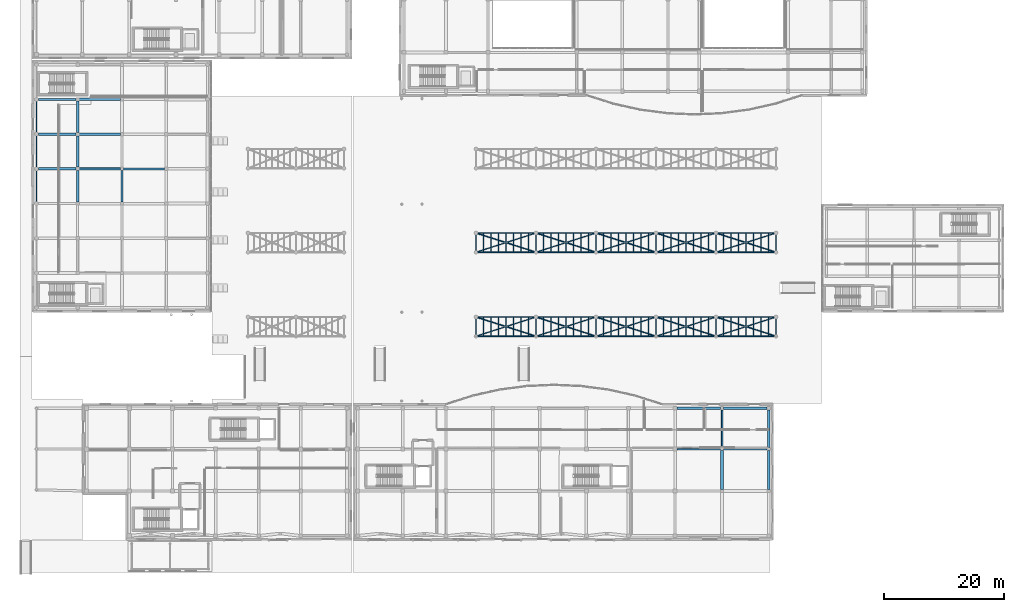
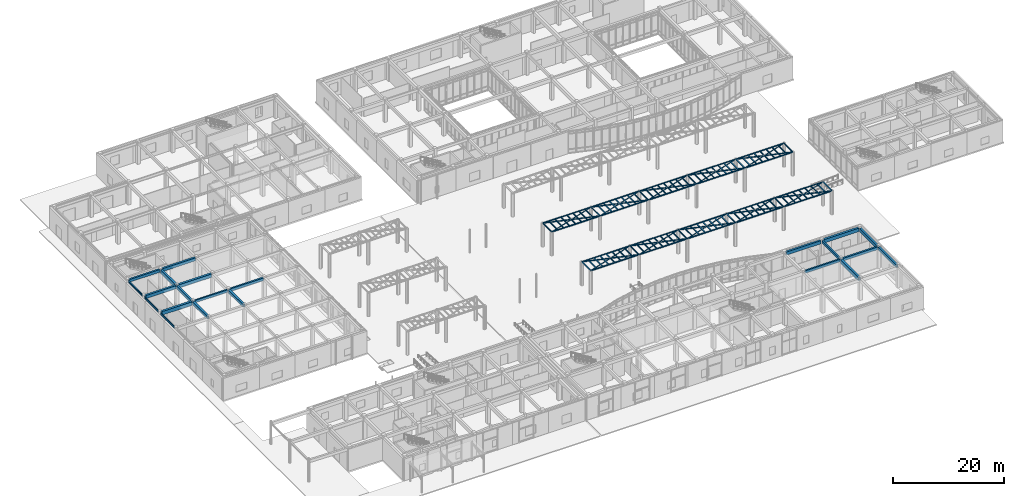
# One storey, part 36 of 121: 132 members, 22 beams.
"""IFC4 building model written with IfcOpenShell, lengths in metres."""

from ifc_helpers import new_model, si_unit, direction, frame, origin, origin_2d, place, context, subcontext, project, spatial, rectangle, hollow_rectangle, hollow_circle, i_section, extrude, material, material_profile, profile_set, type_object, element, save


model = new_model("IFC4")

# Units and contexts
model_context = context("Model", 3, precision=1e-05, world=origin(), true_north=direction((0.0, 1.0)))
body_context = subcontext(model_context, "Body", "Model", "MODEL_VIEW")
ifc_project = project(units=[si_unit("LENGTHUNIT", "METRE"), si_unit("AREAUNIT", "SQUARE_METRE"), si_unit("VOLUMEUNIT", "CUBIC_METRE"), si_unit("PLANEANGLEUNIT", "RADIAN"), si_unit("MASSUNIT", "GRAM", prefix="KILO")], contexts=[model_context])

# Site, building, storey
site_placement = place(None, origin())
site = spatial("IfcSite", under=ifc_project, at=site_placement, CompositionType="ELEMENT")
building_placement = place(site_placement, origin())
building = spatial("IfcBuilding", under=site, at=building_placement, Name="Valcora Specialist Clinic", CompositionType="ELEMENT")
storey_placement = place(building_placement, origin())
storey = spatial("IfcBuildingStorey", under=building, at=storey_placement, Name="L00", CompositionType="ELEMENT", Elevation=0.0)

# Beams
ifc_material_1 = material(Name="Steel ASTM A992 Grade 50", Category="steel")
ifc_material_profile_1 = material_profile(ifc_material_1, i_section(OverallWidth=0.177978515625, OverallDepth=0.406005859375, WebThickness=0.008056640625, FlangeThickness=0.012939453125, at=origin_2d()), Name="ST-IR-410X180")
ifc_profile_set_1 = profile_set([ifc_material_profile_1], Name="Steel ASTM A992 Grade 50")
beam_type_1 = type_object("IfcBeamType", Name="TY-BM-IR410", PredefinedType="SPANDREL", material=ifc_profile_set_1)
beam_1_placement = place(storey_placement, frame((0.75, 56.431884765625, 4.60302734375), z_axis=(0.0, 1.0, 0.0), x_axis=(-1.0, 0.0, 0.0)))
element("IfcBeam", 1, at=beam_1_placement, inside=storey, type_object=beam_type_1, Name="Beam BM-L00-0103", PredefinedType="SPANDREL", context=body_context, shape_type="SweptSolid", body=[
    extrude(i_section(OverallWidth=0.177978515625, OverallDepth=0.406005859375, WebThickness=0.008056640625, FlangeThickness=0.012939453125, at=origin_2d()), origin(), (0.0, 0.0, 1.0), 5.13623046875),
])
beam_2_placement = place(storey_placement, frame((0.75, 62.218017578125, 4.60302734375), z_axis=(0.0, 1.0, 0.0), x_axis=(-1.0, 0.0, 0.0)))
element("IfcBeam", 2, at=beam_2_placement, inside=storey, type_object=beam_type_1, Name="Beam BM-L00-0104", PredefinedType="SPANDREL", context=body_context, shape_type="SweptSolid", body=[
    extrude(i_section(OverallWidth=0.177978515625, OverallDepth=0.406005859375, WebThickness=0.008056640625, FlangeThickness=0.012939453125, at=origin_2d()), origin(), (0.0, 0.0, 1.0), 5.135986328125),
])
beam_3_placement = place(storey_placement, frame((0.75, 68.00390625, 4.60302734375), z_axis=(0.0, 1.0, 0.0), x_axis=(-1.0, 0.0, 0.0)))
element("IfcBeam", 3, at=beam_3_placement, inside=storey, type_object=beam_type_1, Name="Beam BM-L00-0105", PredefinedType="SPANDREL", context=body_context, shape_type="SweptSolid", body=[
    extrude(i_section(OverallWidth=0.177978515625, OverallDepth=0.406005859375, WebThickness=0.008056640625, FlangeThickness=0.012939453125, at=origin_2d()), origin(), (0.0, 0.0, 1.0), 5.135009765625),
])
ifc_material_2 = material(Name="Concrete C40/50", Category="concrete")
ifc_material_profile_2 = material_profile(ifc_material_2, rectangle(XDim=0.300048828125, YDim=0.550048828125, at=origin_2d()), Name="RC-BM-300X550")
ifc_profile_set_2 = profile_set([ifc_material_profile_2], Name="Concrete C40/50")
beam_type_2 = type_object("IfcBeamType", Name="TY-BM-RC300X550", PredefinedType="BEAM", material=ifc_profile_set_2)
beam_4_placement = place(storey_placement, frame((7.875, 61.89306640625, 4.534912109375), z_axis=(1.0, 0.0, 0.0), x_axis=(0.0, 1.0, 0.0)))
element("IfcBeam", 4, at=beam_4_placement, inside=storey, type_object=beam_type_2, Name="Beam BM-L00-0085", PredefinedType="BEAM", context=body_context, shape_type="SweptSolid", body=[
    extrude(rectangle(XDim=0.300048828125, YDim=0.550048828125, at=origin_2d()), origin(), (0.0, 0.0, 1.0), 6.85009765625),
])
beam_5_placement = place(storey_placement, frame((107.52490234375, 15.199951171875, 4.4951171875), z_axis=(1.0, 0.0, 0.0), x_axis=(0.0, 1.0, 0.0)))
element("IfcBeam", 5, at=beam_5_placement, inside=storey, type_object=beam_type_2, Name="Beam BM-L00-1249", PredefinedType="BEAM", context=body_context, shape_type="SweptSolid", body=[
    extrude(rectangle(XDim=0.300048828125, YDim=0.550048828125, at=origin_2d()), origin(), (0.0, 0.0, 1.0), 7.2001953125),
])
beam_6_placement = place(storey_placement, frame((115.0, 15.47509765625, 4.4951171875), z_axis=(0.0, 1.0, 0.0), x_axis=(-1.0, 0.0, 0.0)))
element("IfcBeam", 6, at=beam_6_placement, inside=storey, type_object=beam_type_2, Name="Beam BM-L00-1283", PredefinedType="BEAM", context=body_context, shape_type="SweptSolid", body=[
    extrude(rectangle(XDim=0.300048828125, YDim=0.550048828125, at=origin_2d()), origin(), (0.0, 0.0, 1.0), 6.25),
])
ifc_material_profile_3 = material_profile(ifc_material_2, rectangle(XDim=0.35009765625, YDim=0.60009765625, at=origin_2d()), Name="RC-BM-350X600")
ifc_profile_set_3 = profile_set([ifc_material_profile_3], Name="Concrete C40/50")
beam_type_3 = type_object("IfcBeamType", Name="TY-BM-RC350X600", PredefinedType="BEAM", material=ifc_profile_set_3)
beam_7_placement = place(storey_placement, frame((15.27490234375, 61.89306640625, 4.510009765625), z_axis=(1.0, 0.0, 0.0), x_axis=(0.0, 1.0, 0.0)))
element("IfcBeam", 7, at=beam_7_placement, inside=storey, type_object=beam_type_3, Name="Beam BM-L00-0086", PredefinedType="BEAM", context=body_context, shape_type="SweptSolid", body=[
    extrude(rectangle(XDim=0.35009765625, YDim=0.60009765625, at=origin_2d()), origin(), (0.0, 0.0, 1.0), 6.85009765625),
])
beam_8_placement = place(storey_placement, frame((1.074951171875, 73.464111328125, 4.510009765625), z_axis=(1.0, 0.0, 0.0), x_axis=(0.0, 1.0, 0.0)))
element("IfcBeam", 8, at=beam_8_placement, inside=storey, type_object=beam_type_3, Name="Beam BM-L00-0092", PredefinedType="BEAM", context=body_context, shape_type="SweptSolid", body=[
    extrude(rectangle(XDim=0.35009765625, YDim=0.60009765625, at=origin_2d()), origin(), (0.0, 0.0, 1.0), 6.25),
])
beam_9_placement = place(storey_placement, frame((115.27490234375, 15.199951171875, 4.469970703125), z_axis=(1.0, 0.0, 0.0), x_axis=(0.0, 1.0, 0.0)))
element("IfcBeam", 9, at=beam_9_placement, inside=storey, type_object=beam_type_3, Name="Beam BM-L00-1250", PredefinedType="BEAM", context=body_context, shape_type="SweptSolid", body=[
    extrude(rectangle(XDim=0.35009765625, YDim=0.60009765625, at=origin_2d()), origin(), (0.0, 0.0, 1.0), 7.25),
])
ifc_material_profile_4 = material_profile(ifc_material_2, rectangle(XDim=0.39990234375, YDim=0.64990234375, at=origin_2d()), Name="RC-BM-400X650")
ifc_profile_set_4 = profile_set([ifc_material_profile_4], Name="Concrete C40/50")
beam_type_4 = type_object("IfcBeamType", Name="TY-BM-RC400X650", PredefinedType="BEAM", material=ifc_profile_set_4)
beam_10_placement = place(storey_placement, frame((7.875, 73.464111328125, 4.485107421875), z_axis=(1.0, 0.0, 0.0), x_axis=(0.0, 1.0, 0.0)))
element("IfcBeam", 10, at=beam_10_placement, inside=storey, type_object=beam_type_4, Name="Beam BM-L00-0093", PredefinedType="BEAM", context=body_context, shape_type="SweptSolid", body=[
    extrude(rectangle(XDim=0.39990234375, YDim=0.64990234375, at=origin_2d()), origin(), (0.0, 0.0, 1.0), 6.85009765625),
])
for number, where, z_axis, x_axis, name in (
    (11, (7.60009765625, 56.382080078125, 4.485107421875), (0.0, 1.0, 0.0), (-1.0, 0.0, 0.0), "Beam BM-L00-0109"),
    (12, (15.0, 56.382080078125, 4.485107421875), (0.0, 1.0, 0.0), (-1.0, 0.0, 0.0), "Beam BM-L00-0115"),
):
    element("IfcBeam", number, at=place(storey_placement, frame(where, z_axis=z_axis, x_axis=x_axis)), inside=storey, type_object=beam_type_4, Name=name, PredefinedType="BEAM", context=body_context, shape_type="SweptSolid", body=[
        extrude(rectangle(XDim=0.39990234375, YDim=0.64990234375, at=origin_2d()), origin(), (0.0, 0.0, 1.0), 5.23583984375),
    ])
beam_11_placement = place(storey_placement, frame((122.800048828125, 8.47509765625, 4.445068359375), z_axis=(0.0, 1.0, 0.0), x_axis=(-1.0, 0.0, 0.0)))
element("IfcBeam", 13, at=beam_11_placement, inside=storey, type_object=beam_type_4, Name="Beam BM-L00-1285", PredefinedType="BEAM", context=body_context, shape_type="SweptSolid", body=[
    extrude(rectangle(XDim=0.39990234375, YDim=0.64990234375, at=origin_2d()), origin(), (0.0, 0.0, 1.0), 6.449951171875),
])
ifc_material_profile_5 = material_profile(ifc_material_2, rectangle(XDim=0.39990234375, YDim=0.699951171875, at=origin_2d()), Name="RC-BM-400X700")
ifc_profile_set_5 = profile_set([ifc_material_profile_5], Name="Concrete C40/50")
beam_type_5 = type_object("IfcBeamType", Name="TY-BM-RC400X700", PredefinedType="BEAM", material=ifc_profile_set_5)
beam_12_placement = place(storey_placement, frame((1.074951171875, 67.678955078125, 4.4599609375), z_axis=(1.0, 0.0, 0.0), x_axis=(0.0, 1.0, 0.0)))
element("IfcBeam", 14, at=beam_12_placement, inside=storey, type_object=beam_type_5, Name="Beam BM-L00-0088", PredefinedType="BEAM", context=body_context, shape_type="SweptSolid", body=[
    extrude(rectangle(XDim=0.39990234375, YDim=0.699951171875, at=origin_2d()), origin(), (0.0, 0.0, 1.0), 6.25),
])
beam_13_placement = place(storey_placement, frame((7.60009765625, 62.16796875, 4.4599609375), z_axis=(0.0, 1.0, 0.0), x_axis=(-1.0, 0.0, 0.0)))
element("IfcBeam", 15, at=beam_13_placement, inside=storey, type_object=beam_type_5, Name="Beam BM-L00-0110", PredefinedType="BEAM", context=body_context, shape_type="SweptSolid", body=[
    extrude(rectangle(XDim=0.39990234375, YDim=0.699951171875, at=origin_2d()), origin(), (0.0, 0.0, 1.0), 5.236083984375),
])
beam_14_placement = place(storey_placement, frame((107.52490234375, 22.0, 4.419921875), z_axis=(1.0, 0.0, 0.0), x_axis=(0.0, 1.0, 0.0)))
element("IfcBeam", 16, at=beam_14_placement, inside=storey, type_object=beam_type_5, Name="Beam BM-L00-1258", PredefinedType="BEAM", context=body_context, shape_type="SweptSolid", body=[
    extrude(rectangle(XDim=0.39990234375, YDim=0.699951171875, at=origin_2d()), origin(), (0.0, 0.0, 1.0), 7.2001953125),
])
beam_15_placement = place(storey_placement, frame((122.800048828125, 15.47509765625, 4.419921875), z_axis=(0.0, 1.0, 0.0), x_axis=(-1.0, 0.0, 0.0)))
element("IfcBeam", 17, at=beam_15_placement, inside=storey, type_object=beam_type_5, Name="Beam BM-L00-1286", PredefinedType="BEAM", context=body_context, shape_type="SweptSolid", body=[
    extrude(rectangle(XDim=0.39990234375, YDim=0.699951171875, at=origin_2d()), origin(), (0.0, 0.0, 1.0), 6.25),
])
ifc_material_profile_6 = material_profile(ifc_material_2, rectangle(XDim=0.449951171875, YDim=0.75, at=origin_2d()), Name="RC-BM-450X750")
ifc_profile_set_6 = profile_set([ifc_material_profile_6], Name="Concrete C40/50")
beam_type_6 = type_object("IfcBeamType", Name="TY-BM-RC450X750", PredefinedType="BEAM", material=ifc_profile_set_6)
beam_16_placement = place(storey_placement, frame((7.875, 67.678955078125, 4.43505859375), z_axis=(1.0, 0.0, 0.0), x_axis=(0.0, 1.0, 0.0)))
element("IfcBeam", 18, at=beam_16_placement, inside=storey, type_object=beam_type_6, Name="Beam BM-L00-0089", PredefinedType="BEAM", context=body_context, shape_type="SweptSolid", body=[
    extrude(rectangle(XDim=0.449951171875, YDim=0.75, at=origin_2d()), origin(), (0.0, 0.0, 1.0), 6.85009765625),
])
beam_17_placement = place(storey_placement, frame((7.60009765625, 67.9541015625, 4.43505859375), z_axis=(0.0, 1.0, 0.0), x_axis=(-1.0, 0.0, 0.0)))
element("IfcBeam", 19, at=beam_17_placement, inside=storey, type_object=beam_type_6, Name="Beam BM-L00-0111", PredefinedType="BEAM", context=body_context, shape_type="SweptSolid", body=[
    extrude(rectangle(XDim=0.449951171875, YDim=0.75, at=origin_2d()), origin(), (0.0, 0.0, 1.0), 5.23486328125),
])
beam_18_placement = place(storey_placement, frame((115.27490234375, 22.0, 4.39501953125), z_axis=(1.0, 0.0, 0.0), x_axis=(0.0, 1.0, 0.0)))
element("IfcBeam", 20, at=beam_18_placement, inside=storey, type_object=beam_type_6, Name="Beam BM-L00-1259", PredefinedType="BEAM", context=body_context, shape_type="SweptSolid", body=[
    extrude(rectangle(XDim=0.449951171875, YDim=0.75, at=origin_2d()), origin(), (0.0, 0.0, 1.0), 7.25),
])
ifc_material_profile_7 = material_profile(ifc_material_2, rectangle(XDim=0.449951171875, YDim=0.800048828125, at=origin_2d()), Name="RC-BM-450X800")
ifc_profile_set_7 = profile_set([ifc_material_profile_7], Name="Concrete C40/50")
beam_type_7 = type_object("IfcBeamType", Name="TY-BM-RC450X800", PredefinedType="BEAM", material=ifc_profile_set_7)
beam_19_placement = place(storey_placement, frame((1.074951171875, 61.89306640625, 4.409912109375), z_axis=(1.0, 0.0, 0.0), x_axis=(0.0, 1.0, 0.0)))
element("IfcBeam", 21, at=beam_19_placement, inside=storey, type_object=beam_type_7, Name="Beam BM-L00-0084", PredefinedType="BEAM", context=body_context, shape_type="SweptSolid", body=[
    extrude(rectangle(XDim=0.449951171875, YDim=0.800048828125, at=origin_2d()), origin(), (0.0, 0.0, 1.0), 6.25),
])
beam_20_placement = place(storey_placement, frame((115.0, 8.47509765625, 4.3701171875), z_axis=(0.0, 1.0, 0.0), x_axis=(-1.0, 0.0, 0.0)))
element("IfcBeam", 22, at=beam_20_placement, inside=storey, type_object=beam_type_7, Name="Beam BM-L00-1282", PredefinedType="BEAM", context=body_context, shape_type="SweptSolid", body=[
    extrude(rectangle(XDim=0.449951171875, YDim=0.800048828125, at=origin_2d()), origin(), (0.0, 0.0, 1.0), 6.449951171875),
])

# Members
ifc_material_3 = material(Name="Steel ASTM A500 Grade C", Category="steel")
ifc_material_profile_8 = material_profile(ifc_material_3, hollow_circle(Radius=0.1220703125, WallThickness=0.010009765625, at=origin_2d()), Name="ST-CHS-244X10")
ifc_profile_set_8 = profile_set([ifc_material_profile_8], Name="Steel ASTM A500 Grade C")
member_type_1 = type_object("IfcMemberType", Name="TY-MB-GSC244", PredefinedType="CHORD", material=ifc_profile_set_8)
for number, where, z_axis, x_axis, name in (
    (23, (74.0, 37.199951171875, 5.050048828125), (1.0, 0.0, 0.0), (0.0, 1.0, 0.0), "Garden pergola edge chord MB-L00-0814"),
    (24, (84.0, 37.199951171875, 5.050048828125), (1.0, 0.0, 0.0), (0.0, 1.0, 0.0), "Garden pergola edge chord MB-L00-0826"),
    (25, (94.0, 37.199951171875, 5.050048828125), (1.0, 0.0, 0.0), (0.0, 1.0, 0.0), "Garden pergola edge chord MB-L00-0838"),
    (26, (104.0, 37.199951171875, 5.050048828125), (1.0, 0.0, 0.0), (0.0, 1.0, 0.0), "Garden pergola edge chord MB-L00-0850"),
    (27, (114.0, 37.199951171875, 5.050048828125), (1.0, 0.0, 0.0), (0.0, 1.0, 0.0), "Garden pergola edge chord MB-L00-0862"),
    (28, (74.0, 51.199951171875, 5.050048828125), (1.0, 0.0, 0.0), (0.0, 1.0, 0.0), "Garden pergola edge chord MB-L00-0900"),
    (29, (84.0, 51.199951171875, 5.050048828125), (1.0, 0.0, 0.0), (0.0, 1.0, 0.0), "Garden pergola edge chord MB-L00-0912"),
    (30, (94.0, 51.199951171875, 5.050048828125), (1.0, 0.0, 0.0), (0.0, 1.0, 0.0), "Garden pergola edge chord MB-L00-0924"),
    (31, (104.0, 51.199951171875, 5.050048828125), (1.0, 0.0, 0.0), (0.0, 1.0, 0.0), "Garden pergola edge chord MB-L00-0936"),
    (32, (114.0, 51.199951171875, 5.050048828125), (1.0, 0.0, 0.0), (0.0, 1.0, 0.0), "Garden pergola edge chord MB-L00-0948"),
):
    element("IfcMember", number, at=place(storey_placement, frame(where, z_axis=z_axis, x_axis=x_axis)), inside=storey, type_object=member_type_1, Name=name, PredefinedType="CHORD", context=body_context, shape_type="SweptSolid", body=[
        extrude(hollow_circle(Radius=0.1220703125, WallThickness=0.010009765625, at=origin_2d()), origin(), (0.0, 0.0, 1.0), 10.0),
    ])
ifc_material_profile_9 = material_profile(ifc_material_3, hollow_circle(Radius=0.136474609375, WallThickness=0.011962890625, at=origin_2d()), Name="ST-CHS-273X12")
ifc_profile_set_9 = profile_set([ifc_material_profile_9], Name="Steel ASTM A500 Grade C")
member_type_2 = type_object("IfcMemberType", Name="TY-MB-GSC273", PredefinedType="CHORD", material=ifc_profile_set_9)
for number, where, z_axis, x_axis, name in (
    (33, (74.0, 34.0, 5.050048828125), (1.0, 0.0, 0.0), (0.0, 1.0, 0.0), "Garden pergola main chord MB-L00-0813"),
    (34, (84.0, 34.0, 5.050048828125), (1.0, 0.0, 0.0), (0.0, 1.0, 0.0), "Garden pergola main chord MB-L00-0825"),
    (35, (94.0, 34.0, 5.050048828125), (1.0, 0.0, 0.0), (0.0, 1.0, 0.0), "Garden pergola main chord MB-L00-0837"),
    (36, (104.0, 34.0, 5.050048828125), (1.0, 0.0, 0.0), (0.0, 1.0, 0.0), "Garden pergola main chord MB-L00-0849"),
    (37, (114.0, 34.0, 5.050048828125), (1.0, 0.0, 0.0), (0.0, 1.0, 0.0), "Garden pergola main chord MB-L00-0861"),
    (38, (74.0, 48.0, 5.050048828125), (1.0, 0.0, 0.0), (0.0, 1.0, 0.0), "Garden pergola main chord MB-L00-0899"),
    (39, (84.0, 48.0, 5.050048828125), (1.0, 0.0, 0.0), (0.0, 1.0, 0.0), "Garden pergola main chord MB-L00-0911"),
    (40, (94.0, 48.0, 5.050048828125), (1.0, 0.0, 0.0), (0.0, 1.0, 0.0), "Garden pergola main chord MB-L00-0923"),
    (41, (104.0, 48.0, 5.050048828125), (1.0, 0.0, 0.0), (0.0, 1.0, 0.0), "Garden pergola main chord MB-L00-0935"),
    (42, (114.0, 48.0, 5.050048828125), (1.0, 0.0, 0.0), (0.0, 1.0, 0.0), "Garden pergola main chord MB-L00-0947"),
):
    element("IfcMember", number, at=place(storey_placement, frame(where, z_axis=z_axis, x_axis=x_axis)), inside=storey, type_object=member_type_2, Name=name, PredefinedType="CHORD", context=body_context, shape_type="SweptSolid", body=[
        extrude(hollow_circle(Radius=0.136474609375, WallThickness=0.011962890625, at=origin_2d()), origin(), (0.0, 0.0, 1.0), 10.0),
    ])
ifc_material_profile_10 = material_profile(ifc_material_3, hollow_circle(Radius=0.070068359375, WallThickness=0.006103515625, at=origin_2d()), Name="ST-CHS-140X6")
ifc_profile_set_10 = profile_set([ifc_material_profile_10], Name="Steel ASTM A500 Grade C")
member_type_3 = type_object("IfcMemberType", Name="TY-MB-GSD140", PredefinedType="BRACE", material=ifc_profile_set_10)
for number, where, z_axis, x_axis, name in (
    (43, (74.0, 37.199951171875, 5.050048828125), (0.952432246511, -0.304750415595, 0.0), (0.304750415595, 0.952432246511, 0.0), "Garden pergola split counter brace A MB-L00-0816"),
    (44, (84.0, 37.199951171875, 5.050048828125), (0.952432246511, -0.304750415595, 0.0), (0.304750415595, 0.952432246511, 0.0), "Garden pergola split counter brace A MB-L00-0828"),
    (45, (94.0, 37.199951171875, 5.050048828125), (0.952432246511, -0.304750415595, 0.0), (0.304750415595, 0.952432246511, 0.0), "Garden pergola split counter brace A MB-L00-0840"),
    (46, (104.0, 37.199951171875, 5.050048828125), (0.952432246511, -0.304750415595, 0.0), (0.304750415595, 0.952432246511, 0.0), "Garden pergola split counter brace A MB-L00-0852"),
    (47, (114.0, 37.199951171875, 5.050048828125), (0.952432246511, -0.304750415595, 0.0), (0.304750415595, 0.952432246511, 0.0), "Garden pergola split counter brace A MB-L00-0864"),
    (48, (74.0, 51.199951171875, 5.050048828125), (0.952432246511, -0.304750415595, 0.0), (0.304750415595, 0.952432246511, 0.0), "Garden pergola split counter brace A MB-L00-0902"),
    (49, (84.0, 51.199951171875, 5.050048828125), (0.952432246511, -0.304750415595, 0.0), (0.304750415595, 0.952432246511, 0.0), "Garden pergola split counter brace A MB-L00-0914"),
    (50, (94.0, 51.199951171875, 5.050048828125), (0.952432246511, -0.304750415595, 0.0), (0.304750415595, 0.952432246511, 0.0), "Garden pergola split counter brace A MB-L00-0926"),
    (51, (104.0, 51.199951171875, 5.050048828125), (0.952432246511, -0.304750415595, 0.0), (0.304750415595, 0.952432246511, 0.0), "Garden pergola split counter brace A MB-L00-0938"),
    (52, (114.0, 51.199951171875, 5.050048828125), (0.952432246511, -0.304750415595, 0.0), (0.304750415595, 0.952432246511, 0.0), "Garden pergola split counter brace A MB-L00-0950"),
    (53, (79.0, 35.60009765625, 5.050048828125), (0.952418747361, -0.304792601084, 0.0), (0.304792601084, 0.952418747361, 0.0), "Garden pergola split counter brace B 171"),
    (54, (89.0, 35.60009765625, 5.050048828125), (0.952418747361, -0.304792601084, 0.0), (0.304792601084, 0.952418747361, 0.0), "Garden pergola split counter brace B 172"),
    (55, (99.0, 35.60009765625, 5.050048828125), (0.952418747361, -0.304792601084, 0.0), (0.304792601084, 0.952418747361, 0.0), "Garden pergola split counter brace B 173"),
    (56, (109.0, 35.60009765625, 5.050048828125), (0.952418747361, -0.304792601084, 0.0), (0.304792601084, 0.952418747361, 0.0), "Garden pergola split counter brace B 174"),
    (57, (119.0, 35.60009765625, 5.050048828125), (0.952418747361, -0.304792601084, 0.0), (0.304792601084, 0.952418747361, 0.0), "Garden pergola split counter brace B 175"),
    (58, (79.0, 49.60009765625, 5.050048828125), (0.952418747361, -0.304792601084, 0.0), (0.304792601084, 0.952418747361, 0.0), "Garden pergola split counter brace B 178"),
    (59, (89.0, 49.60009765625, 5.050048828125), (0.952418747361, -0.304792601084, 0.0), (0.304792601084, 0.952418747361, 0.0), "Garden pergola split counter brace B 179"),
    (60, (99.0, 49.60009765625, 5.050048828125), (0.952418747361, -0.304792601084, 0.0), (0.304792601084, 0.952418747361, 0.0), "Garden pergola split counter brace B 180"),
    (61, (109.0, 49.60009765625, 5.050048828125), (0.952418747361, -0.304792601084, 0.0), (0.304792601084, 0.952418747361, 0.0), "Garden pergola split counter brace B 181"),
    (62, (119.0, 49.60009765625, 5.050048828125), (0.952418747361, -0.304792601084, 0.0), (0.304792601084, 0.952418747361, 0.0), "Garden pergola split counter brace B 182"),
):
    element("IfcMember", number, at=place(storey_placement, frame(where, z_axis=z_axis, x_axis=x_axis)), inside=storey, type_object=member_type_3, Name=name, PredefinedType="BRACE", context=body_context, shape_type="SweptSolid", body=[
        extrude(hollow_circle(Radius=0.070068359375, WallThickness=0.006103515625, at=origin_2d()), origin(), (0.0, 0.0, 1.0), 5.249755859375),
    ])
ifc_material_profile_11 = material_profile(ifc_material_3, hollow_circle(Radius=0.083984375, WallThickness=0.008056640625, at=origin_2d()), Name="ST-CHS-168X8")
ifc_profile_set_11 = profile_set([ifc_material_profile_11], Name="Steel ASTM A500 Grade C")
member_type_4 = type_object("IfcMemberType", Name="TY-MB-GSD168", PredefinedType="BRACE", material=ifc_profile_set_11)
for number, where, z_axis, x_axis, name in (
    (63, (74.0, 34.0, 5.050048828125), (0.952425497122, 0.304771508564, 0.0), (-0.304771508564, 0.952425497122, 0.0), "Garden pergola plan brace MB-L00-0815"),
    (64, (84.0, 34.0, 5.050048828125), (0.952425497122, 0.304771508564, 0.0), (-0.304771508564, 0.952425497122, 0.0), "Garden pergola plan brace MB-L00-0827"),
    (65, (94.0, 34.0, 5.050048828125), (0.952425497122, 0.304771508564, 0.0), (-0.304771508564, 0.952425497122, 0.0), "Garden pergola plan brace MB-L00-0839"),
    (66, (104.0, 34.0, 5.050048828125), (0.952425497122, 0.304771508564, 0.0), (-0.304771508564, 0.952425497122, 0.0), "Garden pergola plan brace MB-L00-0851"),
    (67, (114.0, 34.0, 5.050048828125), (0.952425497122, 0.304771508564, 0.0), (-0.304771508564, 0.952425497122, 0.0), "Garden pergola plan brace MB-L00-0863"),
    (68, (74.0, 48.0, 5.050048828125), (0.952425497122, 0.304771508564, 0.0), (-0.304771508564, 0.952425497122, 0.0), "Garden pergola plan brace MB-L00-0901"),
    (69, (84.0, 48.0, 5.050048828125), (0.952425497122, 0.304771508564, 0.0), (-0.304771508564, 0.952425497122, 0.0), "Garden pergola plan brace MB-L00-0913"),
    (70, (94.0, 48.0, 5.050048828125), (0.952425497122, 0.304771508564, 0.0), (-0.304771508564, 0.952425497122, 0.0), "Garden pergola plan brace MB-L00-0925"),
    (71, (104.0, 48.0, 5.050048828125), (0.952425497122, 0.304771508564, 0.0), (-0.304771508564, 0.952425497122, 0.0), "Garden pergola plan brace MB-L00-0937"),
    (72, (114.0, 48.0, 5.050048828125), (0.952425497122, 0.304771508564, 0.0), (-0.304771508564, 0.952425497122, 0.0), "Garden pergola plan brace MB-L00-0949"),
):
    element("IfcMember", number, at=place(storey_placement, frame(where, z_axis=z_axis, x_axis=x_axis)), inside=storey, type_object=member_type_4, Name=name, PredefinedType="BRACE", context=body_context, shape_type="SweptSolid", body=[
        extrude(hollow_circle(Radius=0.083984375, WallThickness=0.008056640625, at=origin_2d()), origin(), (0.0, 0.0, 1.0), 10.49951171875),
    ])
ifc_material_profile_12 = material_profile(ifc_material_3, hollow_rectangle(XDim=0.179931640625, YDim=0.179931640625, WallThickness=0.008056640625, at=origin_2d()), Name="ST-RHS-180X180X8")
ifc_profile_set_12 = profile_set([ifc_material_profile_12], Name="Steel ASTM A500 Grade C")
member_type_5 = type_object("IfcMemberType", Name="TY-MB-PR180", PredefinedType="PURLIN", material=ifc_profile_set_12)
for number, where, z_axis, x_axis, name in (
    (73, (74.0, 34.0, 5.050048828125), (0.0, 1.0, 0.0), (-1.0, 0.0, 0.0), "Garden pergola purlin MB-L00-0817"),
    (74, (75.25, 34.0, 5.050048828125), (0.0, 1.0, 0.0), (-1.0, 0.0, 0.0), "Garden pergola purlin MB-L00-0818"),
    (75, (76.5, 34.0, 5.050048828125), (0.0, 1.0, 0.0), (-1.0, 0.0, 0.0), "Garden pergola purlin MB-L00-0819"),
    (76, (77.75, 34.0, 5.050048828125), (0.0, 1.0, 0.0), (-1.0, 0.0, 0.0), "Garden pergola purlin MB-L00-0820"),
    (77, (79.0, 34.0, 5.050048828125), (0.0, 1.0, 0.0), (-1.0, 0.0, 0.0), "Garden pergola purlin MB-L00-0821"),
    (78, (80.25, 34.0, 5.050048828125), (0.0, 1.0, 0.0), (-1.0, 0.0, 0.0), "Garden pergola purlin MB-L00-0822"),
    (79, (81.5, 34.0, 5.050048828125), (0.0, 1.0, 0.0), (-1.0, 0.0, 0.0), "Garden pergola purlin MB-L00-0823"),
    (80, (82.75, 34.0, 5.050048828125), (0.0, 1.0, 0.0), (-1.0, 0.0, 0.0), "Garden pergola purlin MB-L00-0824"),
    (81, (84.0, 34.0, 5.050048828125), (0.0, 1.0, 0.0), (-1.0, 0.0, 0.0), "Garden pergola purlin MB-L00-0829"),
    (82, (85.25, 34.0, 5.050048828125), (0.0, 1.0, 0.0), (-1.0, 0.0, 0.0), "Garden pergola purlin MB-L00-0830"),
    (83, (86.5, 34.0, 5.050048828125), (0.0, 1.0, 0.0), (-1.0, 0.0, 0.0), "Garden pergola purlin MB-L00-0831"),
    (84, (87.75, 34.0, 5.050048828125), (0.0, 1.0, 0.0), (-1.0, 0.0, 0.0), "Garden pergola purlin MB-L00-0832"),
    (85, (89.0, 34.0, 5.050048828125), (0.0, 1.0, 0.0), (-1.0, 0.0, 0.0), "Garden pergola purlin MB-L00-0833"),
    (86, (90.25, 34.0, 5.050048828125), (0.0, 1.0, 0.0), (-1.0, 0.0, 0.0), "Garden pergola purlin MB-L00-0834"),
    (87, (91.5, 34.0, 5.050048828125), (0.0, 1.0, 0.0), (-1.0, 0.0, 0.0), "Garden pergola purlin MB-L00-0835"),
    (88, (92.75, 34.0, 5.050048828125), (0.0, 1.0, 0.0), (-1.0, 0.0, 0.0), "Garden pergola purlin MB-L00-0836"),
    (89, (94.0, 34.0, 5.050048828125), (0.0, 1.0, 0.0), (-1.0, 0.0, 0.0), "Garden pergola purlin MB-L00-0841"),
    (90, (95.25, 34.0, 5.050048828125), (0.0, 1.0, 0.0), (-1.0, 0.0, 0.0), "Garden pergola purlin MB-L00-0842"),
    (91, (96.5, 34.0, 5.050048828125), (0.0, 1.0, 0.0), (-1.0, 0.0, 0.0), "Garden pergola purlin MB-L00-0843"),
    (92, (97.75, 34.0, 5.050048828125), (0.0, 1.0, 0.0), (-1.0, 0.0, 0.0), "Garden pergola purlin MB-L00-0844"),
    (93, (99.0, 34.0, 5.050048828125), (0.0, 1.0, 0.0), (-1.0, 0.0, 0.0), "Garden pergola purlin MB-L00-0845"),
    (94, (100.25, 34.0, 5.050048828125), (0.0, 1.0, 0.0), (-1.0, 0.0, 0.0), "Garden pergola purlin MB-L00-0846"),
    (95, (101.5, 34.0, 5.050048828125), (0.0, 1.0, 0.0), (-1.0, 0.0, 0.0), "Garden pergola purlin MB-L00-0847"),
    (96, (102.75, 34.0, 5.050048828125), (0.0, 1.0, 0.0), (-1.0, 0.0, 0.0), "Garden pergola purlin MB-L00-0848"),
    (97, (104.0, 34.0, 5.050048828125), (0.0, 1.0, 0.0), (-1.0, 0.0, 0.0), "Garden pergola purlin MB-L00-0853"),
    (98, (105.25, 34.0, 5.050048828125), (0.0, 1.0, 0.0), (-1.0, 0.0, 0.0), "Garden pergola purlin MB-L00-0854"),
    (99, (106.5, 34.0, 5.050048828125), (0.0, 1.0, 0.0), (-1.0, 0.0, 0.0), "Garden pergola purlin MB-L00-0855"),
    (100, (107.75, 34.0, 5.050048828125), (0.0, 1.0, 0.0), (-1.0, 0.0, 0.0), "Garden pergola purlin MB-L00-0856"),
    (101, (109.0, 34.0, 5.050048828125), (0.0, 1.0, 0.0), (-1.0, 0.0, 0.0), "Garden pergola purlin MB-L00-0857"),
    (102, (110.25, 34.0, 5.050048828125), (0.0, 1.0, 0.0), (-1.0, 0.0, 0.0), "Garden pergola purlin MB-L00-0858"),
    (103, (111.5, 34.0, 5.050048828125), (0.0, 1.0, 0.0), (-1.0, 0.0, 0.0), "Garden pergola purlin MB-L00-0859"),
    (104, (112.75, 34.0, 5.050048828125), (0.0, 1.0, 0.0), (-1.0, 0.0, 0.0), "Garden pergola purlin MB-L00-0860"),
    (105, (114.0, 34.0, 5.050048828125), (0.0, 1.0, 0.0), (-1.0, 0.0, 0.0), "Garden pergola purlin MB-L00-0865"),
    (106, (115.25, 34.0, 5.050048828125), (0.0, 1.0, 0.0), (-1.0, 0.0, 0.0), "Garden pergola purlin MB-L00-0866"),
    (107, (116.5, 34.0, 5.050048828125), (0.0, 1.0, 0.0), (-1.0, 0.0, 0.0), "Garden pergola purlin MB-L00-0867"),
    (108, (117.75, 34.0, 5.050048828125), (0.0, 1.0, 0.0), (-1.0, 0.0, 0.0), "Garden pergola purlin MB-L00-0868"),
    (109, (119.0, 34.0, 5.050048828125), (0.0, 1.0, 0.0), (-1.0, 0.0, 0.0), "Garden pergola purlin MB-L00-0869"),
    (110, (120.25, 34.0, 5.050048828125), (0.0, 1.0, 0.0), (-1.0, 0.0, 0.0), "Garden pergola purlin MB-L00-0870"),
    (111, (121.5, 34.0, 5.050048828125), (0.0, 1.0, 0.0), (-1.0, 0.0, 0.0), "Garden pergola purlin MB-L00-0871"),
    (112, (122.75, 34.0, 5.050048828125), (0.0, 1.0, 0.0), (-1.0, 0.0, 0.0), "Garden pergola purlin MB-L00-0872"),
    (113, (124.0, 34.0, 5.050048828125), (0.0, 1.0, 0.0), (-1.0, 0.0, 0.0), "Garden pergola purlin MB-L00-0873"),
    (114, (74.0, 48.0, 5.050048828125), (0.0, 1.0, 0.0), (-1.0, 0.0, 0.0), "Garden pergola purlin MB-L00-0903"),
    (115, (75.25, 48.0, 5.050048828125), (0.0, 1.0, 0.0), (-1.0, 0.0, 0.0), "Garden pergola purlin MB-L00-0904"),
    (116, (76.5, 48.0, 5.050048828125), (0.0, 1.0, 0.0), (-1.0, 0.0, 0.0), "Garden pergola purlin MB-L00-0905"),
    (117, (77.75, 48.0, 5.050048828125), (0.0, 1.0, 0.0), (-1.0, 0.0, 0.0), "Garden pergola purlin MB-L00-0906"),
    (118, (79.0, 48.0, 5.050048828125), (0.0, 1.0, 0.0), (-1.0, 0.0, 0.0), "Garden pergola purlin MB-L00-0907"),
    (119, (80.25, 48.0, 5.050048828125), (0.0, 1.0, 0.0), (-1.0, 0.0, 0.0), "Garden pergola purlin MB-L00-0908"),
    (120, (81.5, 48.0, 5.050048828125), (0.0, 1.0, 0.0), (-1.0, 0.0, 0.0), "Garden pergola purlin MB-L00-0909"),
    (121, (82.75, 48.0, 5.050048828125), (0.0, 1.0, 0.0), (-1.0, 0.0, 0.0), "Garden pergola purlin MB-L00-0910"),
    (122, (84.0, 48.0, 5.050048828125), (0.0, 1.0, 0.0), (-1.0, 0.0, 0.0), "Garden pergola purlin MB-L00-0915"),
    (123, (85.25, 48.0, 5.050048828125), (0.0, 1.0, 0.0), (-1.0, 0.0, 0.0), "Garden pergola purlin MB-L00-0916"),
    (124, (86.5, 48.0, 5.050048828125), (0.0, 1.0, 0.0), (-1.0, 0.0, 0.0), "Garden pergola purlin MB-L00-0917"),
    (125, (87.75, 48.0, 5.050048828125), (0.0, 1.0, 0.0), (-1.0, 0.0, 0.0), "Garden pergola purlin MB-L00-0918"),
    (126, (89.0, 48.0, 5.050048828125), (0.0, 1.0, 0.0), (-1.0, 0.0, 0.0), "Garden pergola purlin MB-L00-0919"),
    (127, (90.25, 48.0, 5.050048828125), (0.0, 1.0, 0.0), (-1.0, 0.0, 0.0), "Garden pergola purlin MB-L00-0920"),
    (128, (91.5, 48.0, 5.050048828125), (0.0, 1.0, 0.0), (-1.0, 0.0, 0.0), "Garden pergola purlin MB-L00-0921"),
    (129, (92.75, 48.0, 5.050048828125), (0.0, 1.0, 0.0), (-1.0, 0.0, 0.0), "Garden pergola purlin MB-L00-0922"),
    (130, (94.0, 48.0, 5.050048828125), (0.0, 1.0, 0.0), (-1.0, 0.0, 0.0), "Garden pergola purlin MB-L00-0927"),
    (131, (95.25, 48.0, 5.050048828125), (0.0, 1.0, 0.0), (-1.0, 0.0, 0.0), "Garden pergola purlin MB-L00-0928"),
    (132, (96.5, 48.0, 5.050048828125), (0.0, 1.0, 0.0), (-1.0, 0.0, 0.0), "Garden pergola purlin MB-L00-0929"),
    (133, (97.75, 48.0, 5.050048828125), (0.0, 1.0, 0.0), (-1.0, 0.0, 0.0), "Garden pergola purlin MB-L00-0930"),
    (134, (99.0, 48.0, 5.050048828125), (0.0, 1.0, 0.0), (-1.0, 0.0, 0.0), "Garden pergola purlin MB-L00-0931"),
    (135, (100.25, 48.0, 5.050048828125), (0.0, 1.0, 0.0), (-1.0, 0.0, 0.0), "Garden pergola purlin MB-L00-0932"),
    (136, (101.5, 48.0, 5.050048828125), (0.0, 1.0, 0.0), (-1.0, 0.0, 0.0), "Garden pergola purlin MB-L00-0933"),
    (137, (102.75, 48.0, 5.050048828125), (0.0, 1.0, 0.0), (-1.0, 0.0, 0.0), "Garden pergola purlin MB-L00-0934"),
    (138, (104.0, 48.0, 5.050048828125), (0.0, 1.0, 0.0), (-1.0, 0.0, 0.0), "Garden pergola purlin MB-L00-0939"),
    (139, (105.25, 48.0, 5.050048828125), (0.0, 1.0, 0.0), (-1.0, 0.0, 0.0), "Garden pergola purlin MB-L00-0940"),
    (140, (106.5, 48.0, 5.050048828125), (0.0, 1.0, 0.0), (-1.0, 0.0, 0.0), "Garden pergola purlin MB-L00-0941"),
    (141, (107.75, 48.0, 5.050048828125), (0.0, 1.0, 0.0), (-1.0, 0.0, 0.0), "Garden pergola purlin MB-L00-0942"),
    (142, (109.0, 48.0, 5.050048828125), (0.0, 1.0, 0.0), (-1.0, 0.0, 0.0), "Garden pergola purlin MB-L00-0943"),
    (143, (110.25, 48.0, 5.050048828125), (0.0, 1.0, 0.0), (-1.0, 0.0, 0.0), "Garden pergola purlin MB-L00-0944"),
    (144, (111.5, 48.0, 5.050048828125), (0.0, 1.0, 0.0), (-1.0, 0.0, 0.0), "Garden pergola purlin MB-L00-0945"),
    (145, (112.75, 48.0, 5.050048828125), (0.0, 1.0, 0.0), (-1.0, 0.0, 0.0), "Garden pergola purlin MB-L00-0946"),
    (146, (114.0, 48.0, 5.050048828125), (0.0, 1.0, 0.0), (-1.0, 0.0, 0.0), "Garden pergola purlin MB-L00-0951"),
    (147, (115.25, 48.0, 5.050048828125), (0.0, 1.0, 0.0), (-1.0, 0.0, 0.0), "Garden pergola purlin MB-L00-0952"),
    (148, (116.5, 48.0, 5.050048828125), (0.0, 1.0, 0.0), (-1.0, 0.0, 0.0), "Garden pergola purlin MB-L00-0953"),
    (149, (117.75, 48.0, 5.050048828125), (0.0, 1.0, 0.0), (-1.0, 0.0, 0.0), "Garden pergola purlin MB-L00-0954"),
    (150, (119.0, 48.0, 5.050048828125), (0.0, 1.0, 0.0), (-1.0, 0.0, 0.0), "Garden pergola purlin MB-L00-0955"),
    (151, (120.25, 48.0, 5.050048828125), (0.0, 1.0, 0.0), (-1.0, 0.0, 0.0), "Garden pergola purlin MB-L00-0956"),
    (152, (121.5, 48.0, 5.050048828125), (0.0, 1.0, 0.0), (-1.0, 0.0, 0.0), "Garden pergola purlin MB-L00-0957"),
    (153, (122.75, 48.0, 5.050048828125), (0.0, 1.0, 0.0), (-1.0, 0.0, 0.0), "Garden pergola purlin MB-L00-0958"),
    (154, (124.0, 48.0, 5.050048828125), (0.0, 1.0, 0.0), (-1.0, 0.0, 0.0), "Garden pergola purlin MB-L00-0959"),
):
    element("IfcMember", number, at=place(storey_placement, frame(where, z_axis=z_axis, x_axis=x_axis)), inside=storey, type_object=member_type_5, Name=name, PredefinedType="PURLIN", context=body_context, shape_type="SweptSolid", body=[
        extrude(hollow_rectangle(XDim=0.179931640625, YDim=0.179931640625, WallThickness=0.008056640625, at=origin_2d()), origin(), (0.0, 0.0, 1.0), 3.199951171875),
    ])

save(model, "model.ifc")
